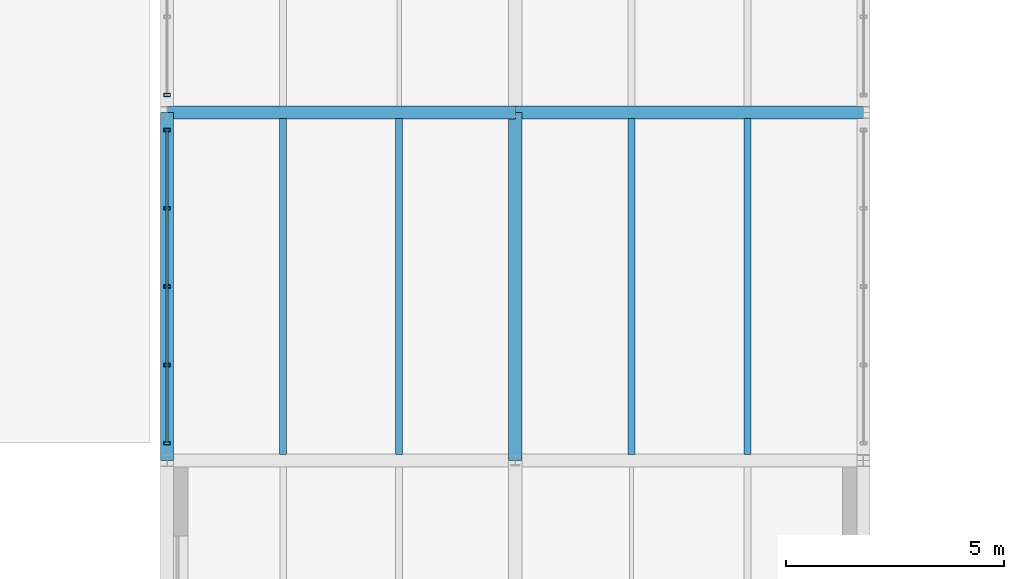
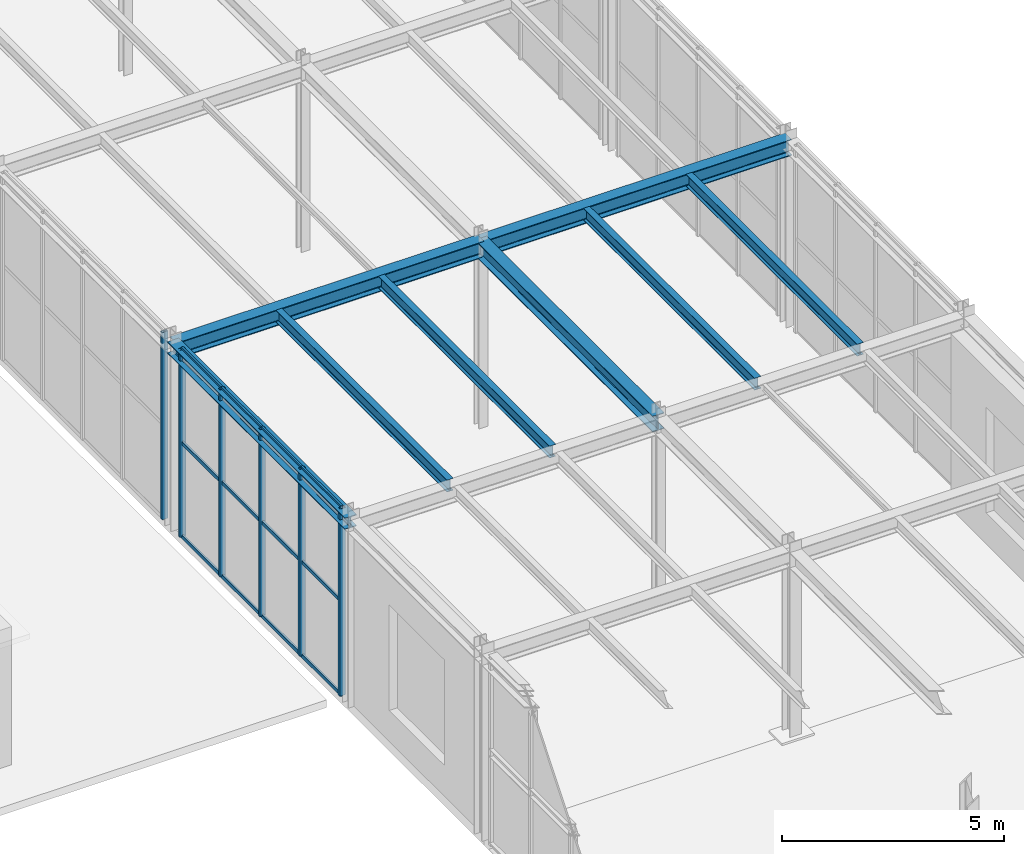
# One storey, part 33 of 129: 18 members, 8 beams, 2 elements without a shape of their own.
"""IFC4 building model written with IfcOpenShell, lengths in metres."""

from ifc_helpers import new_model, si_unit, direction, frame, origin, origin_2d, place, context, subcontext, project, spatial, hollow_rectangle, i_section, extrude, material, material_profile, profile_set, type_object, element, aggregate, save


model = new_model("IFC4")

# Units and contexts
model_context = context("Model", 3, precision=1e-05, world=origin(), true_north=direction((0.0, 1.0)))
body_context = subcontext(model_context, "Body", "Model", "MODEL_VIEW")
ifc_project = project(units=[si_unit("LENGTHUNIT", "METRE"), si_unit("AREAUNIT", "SQUARE_METRE"), si_unit("VOLUMEUNIT", "CUBIC_METRE"), si_unit("PLANEANGLEUNIT", "RADIAN"), si_unit("MASSUNIT", "GRAM", prefix="KILO")], contexts=[model_context])

# Site, building, storey
site_placement = place(None, origin())
site = spatial("IfcSite", under=ifc_project, at=site_placement, CompositionType="ELEMENT")
building_placement = place(site_placement, origin())
building = spatial("IfcBuilding", under=site, at=building_placement, Name="Sundkrona Museum", CompositionType="ELEMENT")
storey_placement = place(building_placement, origin())
storey = spatial("IfcBuildingStorey", under=building, at=storey_placement, Name="L00", CompositionType="ELEMENT", Elevation=0.0)

# Beams
ifc_material_1 = material(Name="Steel S355J2", Category="steel")
ifc_material_profile_1 = material_profile(ifc_material_1, i_section(OverallWidth=0.300048828125, OverallDepth=0.43994140625, WebThickness=0.011474609375, FlangeThickness=0.02099609375, FilletRadius=0.027099609375, at=origin_2d()), Name="HEA 450")
ifc_profile_set_1 = profile_set([ifc_material_profile_1], Name="Steel S355J2")
beam_type_1 = type_object("IfcBeamType", Name="B-HEA450", PredefinedType="BEAM", material=ifc_profile_set_1)
for number, where, z_axis, x_axis, name in (
    (1, (80.0, 54.0, 4.919921875), (1.0, 0.0, 0.0), (0.0, 1.0, 0.0), "L00 Girder X-0493"),
    (2, (88.0, 54.0, 4.919921875), (1.0, 0.0, 0.0), (0.0, 1.0, 0.0), "L00 Girder X-0494"),
    (3, (88.0, 46.0, 4.919921875), (0.0, 1.0, 0.0), (-1.0, 0.0, 0.0), "L00 Girder Y-0692"),
):
    element("IfcBeam", number, at=place(storey_placement, frame(where, z_axis=z_axis, x_axis=x_axis)), inside=storey, type_object=beam_type_1, Name=name, PredefinedType="BEAM", context=body_context, shape_type="SweptSolid", body=[
        extrude(i_section(OverallWidth=0.300048828125, OverallDepth=0.43994140625, WebThickness=0.011474609375, FlangeThickness=0.02099609375, FilletRadius=0.027099609375, at=origin_2d()), origin(), (0.0, 0.0, 1.0), 8.0),
    ])
ifc_material_profile_2 = material_profile(ifc_material_1, i_section(OverallWidth=0.159912109375, OverallDepth=0.330078125, WebThickness=0.007568359375, FlangeThickness=0.011474609375, FilletRadius=0.01806640625, at=origin_2d()), Name="IPE 330")
ifc_profile_set_2 = profile_set([ifc_material_profile_2], Name="Steel S355J2")
beam_type_2 = type_object("IfcBeamType", Name="J-IPE330", PredefinedType="JOIST", material=ifc_profile_set_2)
for number, where, z_axis, x_axis, name in (
    (4, (82.666748046875, 46.14404296875, 4.97509765625), (0.0, 1.0, 0.0), (-1.0, 0.0, 0.0), "L00 Composite Joist 0397"),
    (5, (85.333251953125, 46.14404296875, 4.97509765625), (0.0, 1.0, 0.0), (-1.0, 0.0, 0.0), "L00 Composite Joist 0398"),
    (6, (90.666748046875, 46.14404296875, 4.97509765625), (0.0, 1.0, 0.0), (-1.0, 0.0, 0.0), "L00 Composite Joist 0417"),
    (7, (93.333251953125, 46.14404296875, 4.97509765625), (0.0, 1.0, 0.0), (-1.0, 0.0, 0.0), "L00 Composite Joist 0418"),
):
    element("IfcBeam", number, at=place(storey_placement, frame(where, z_axis=z_axis, x_axis=x_axis)), inside=storey, type_object=beam_type_2, Name=name, PredefinedType="JOIST", context=body_context, shape_type="SweptSolid", body=[
        extrude(i_section(OverallWidth=0.159912109375, OverallDepth=0.330078125, WebThickness=0.007568359375, FlangeThickness=0.011474609375, FilletRadius=0.01806640625, at=origin_2d()), origin(), (0.0, 0.0, 1.0), 7.7119140625),
    ])

# Curtain wall, members
ifc_material_2 = material(Name="Unitised Aluminium-Steel and Ceramic-Clad Curtain Walling", Category="steel")
curtain_wall_type = type_object("IfcCurtainWallType", Name="CW-PS-74x48", PredefinedType="NOTDEFINED", material=ifc_material_2)
curtain_wall_1_placement = place(storey_placement, origin())
curtain_wall_1 = element("IfcCurtainWall", 8, at=curtain_wall_1_placement, inside=storey, type_object=curtain_wall_type, Name="L00 Curtain Wall CW-L00-094", PredefinedType="NOTDEFINED")
ifc_material_3 = material(Name="Aluminium EN AW-6060 T66", Category="aluminium")
ifc_material_profile_3 = material_profile(ifc_material_3, hollow_rectangle(XDim=0.074951171875, YDim=0.14990234375, WallThickness=0.00634765625, at=origin_2d()), Name="RHS 150x75x6.3")
ifc_profile_set_3 = profile_set([ifc_material_profile_3], Name="Aluminium EN AW-6060 T66")
member_type_1 = type_object("IfcMemberType", Name="ML-150", PredefinedType="MULLION", material=ifc_profile_set_3)
member_1_placement = place(storey_placement, frame((80.0, 46.39990234375, -0.00390625), z_axis=(0.0, 0.0, 1.0), x_axis=(0.0, 1.0, 0.0)))
member_1 = element("IfcMember", 9, at=member_1_placement, type_object=member_type_1, Name="CW-L00-094 Mullion 01", PredefinedType="MULLION", context=body_context, shape_type="SweptSolid", body=[
    extrude(hollow_rectangle(XDim=0.074951171875, YDim=0.14990234375, WallThickness=0.00634765625, at=origin_2d()), origin(), (0.0, 0.0, 1.0), 5.14794921875),
])
member_2_placement = place(storey_placement, frame((80.0, 48.199951171875, -0.00390625), z_axis=(0.0, 0.0, 1.0), x_axis=(0.0, 1.0, 0.0)))
member_2 = element("IfcMember", 10, at=member_2_placement, type_object=member_type_1, Name="CW-L00-094 Mullion 02", PredefinedType="MULLION", context=body_context, shape_type="SweptSolid", body=[
    extrude(hollow_rectangle(XDim=0.074951171875, YDim=0.14990234375, WallThickness=0.00634765625, at=origin_2d()), origin(), (0.0, 0.0, 1.0), 5.14794921875),
])
member_3_placement = place(storey_placement, frame((80.0, 50.0, -0.00390625), z_axis=(0.0, 0.0, 1.0), x_axis=(0.0, 1.0, 0.0)))
member_3 = element("IfcMember", 11, at=member_3_placement, type_object=member_type_1, Name="CW-L00-094 Mullion 03", PredefinedType="MULLION", context=body_context, shape_type="SweptSolid", body=[
    extrude(hollow_rectangle(XDim=0.074951171875, YDim=0.14990234375, WallThickness=0.00634765625, at=origin_2d()), origin(), (0.0, 0.0, 1.0), 5.14794921875),
])
member_4_placement = place(storey_placement, frame((80.0, 51.800048828125, -0.00390625), z_axis=(0.0, 0.0, 1.0), x_axis=(0.0, 1.0, 0.0)))
member_4 = element("IfcMember", 12, at=member_4_placement, type_object=member_type_1, Name="CW-L00-094 Mullion 04", PredefinedType="MULLION", context=body_context, shape_type="SweptSolid", body=[
    extrude(hollow_rectangle(XDim=0.074951171875, YDim=0.14990234375, WallThickness=0.00634765625, at=origin_2d()), origin(), (0.0, 0.0, 1.0), 5.14794921875),
])
member_5_placement = place(storey_placement, frame((80.0, 53.60009765625, -0.00390625), z_axis=(0.0, 0.0, 1.0), x_axis=(0.0, 1.0, 0.0)))
member_5 = element("IfcMember", 13, at=member_5_placement, type_object=member_type_1, Name="CW-L00-094 Mullion 05", PredefinedType="MULLION", context=body_context, shape_type="SweptSolid", body=[
    extrude(hollow_rectangle(XDim=0.074951171875, YDim=0.14990234375, WallThickness=0.00634765625, at=origin_2d()), origin(), (0.0, 0.0, 1.0), 5.14794921875),
])

# Curtain wall, member
curtain_wall_2_placement = place(storey_placement, origin())
curtain_wall_2 = element("IfcCurtainWall", 14, at=curtain_wall_2_placement, inside=storey, type_object=curtain_wall_type, Name="L00 Curtain Wall CW-L00-096", PredefinedType="NOTDEFINED")
member_6_placement = place(storey_placement, frame((80.0, 54.39990234375, -0.00390625), z_axis=(0.0, 0.0, 1.0), x_axis=(0.0, 1.0, 0.0)))
member_6 = element("IfcMember", 15, at=member_6_placement, type_object=member_type_1, Name="CW-L00-096 Mullion 01", PredefinedType="MULLION", context=body_context, shape_type="SweptSolid", body=[
    extrude(hollow_rectangle(XDim=0.074951171875, YDim=0.14990234375, WallThickness=0.00634765625, at=origin_2d()), origin(), (0.0, 0.0, 1.0), 5.14794921875),
])
aggregate(curtain_wall_2, [member_6])

# Beam
ifc_material_profile_4 = material_profile(ifc_material_1, i_section(OverallWidth=0.300048828125, OverallDepth=0.320068359375, WebThickness=0.011474609375, FlangeThickness=0.0205078125, FilletRadius=0.027099609375, at=origin_2d()), Name="HEB 320")
ifc_profile_set_4 = profile_set([ifc_material_profile_4], Name="Steel S355J2")
beam_type_3 = type_object("IfcBeamType", Name="SP-HEB320", PredefinedType="SPANDREL", material=ifc_profile_set_4)
beam_placement = place(storey_placement, frame((80.0, 46.0, 4.97998046875), z_axis=(0.0, 1.0, 0.0), x_axis=(-1.0, 0.0, 0.0)))
element("IfcBeam", 16, at=beam_placement, inside=storey, type_object=beam_type_3, Name="L00 Girder Y-0677", PredefinedType="SPANDREL", context=body_context, shape_type="SweptSolid", body=[
    extrude(i_section(OverallWidth=0.300048828125, OverallDepth=0.320068359375, WebThickness=0.011474609375, FlangeThickness=0.0205078125, FilletRadius=0.027099609375, at=origin_2d()), origin(), (0.0, 0.0, 1.0), 8.0),
])

# Member
ifc_material_profile_5 = material_profile(ifc_material_3, hollow_rectangle(XDim=0.050048828125, YDim=0.10009765625, WallThickness=0.0048828125, at=origin_2d()), Name="RHS 100x50x5.0")
ifc_profile_set_5 = profile_set([ifc_material_profile_5], Name="Aluminium EN AW-6060 T66")
member_type_2 = type_object("IfcMemberType", Name="TR-100", PredefinedType="USERDEFINED", material=ifc_profile_set_5)
member_7_placement = place(storey_placement, frame((80.0, 46.39990234375, -0.00390625), z_axis=(0.0, 1.0, 0.0), x_axis=(-1.0, 0.0, 0.0)))
member_7 = element("IfcMember", 17, at=member_7_placement, type_object=member_type_2, Name="CW-L00-094 Transom 01", ObjectType="TRANSOM", PredefinedType="USERDEFINED", context=body_context, shape_type="SweptSolid", body=[
    extrude(hollow_rectangle(XDim=0.050048828125, YDim=0.10009765625, WallThickness=0.0048828125, at=origin_2d()), origin(), (0.0, 0.0, 1.0), 1.800048828125),
])

member_8_placement = place(storey_placement, frame((80.0, 46.39990234375, 2.570068359375), z_axis=(0.0, 1.0, 0.0), x_axis=(-1.0, 0.0, 0.0)))
member_8 = element("IfcMember", 18, at=member_8_placement, type_object=member_type_2, Name="CW-L00-094 Transom 02", ObjectType="TRANSOM", PredefinedType="USERDEFINED", context=body_context, shape_type="SweptSolid", body=[
    extrude(hollow_rectangle(XDim=0.050048828125, YDim=0.10009765625, WallThickness=0.0048828125, at=origin_2d()), origin(), (0.0, 0.0, 1.0), 1.800048828125),
])

member_9_placement = place(storey_placement, frame((80.0, 46.39990234375, 5.14404296875), z_axis=(0.0, 1.0, 0.0), x_axis=(-1.0, 0.0, 0.0)))
member_9 = element("IfcMember", 19, at=member_9_placement, type_object=member_type_2, Name="CW-L00-094 Transom 03", ObjectType="TRANSOM", PredefinedType="USERDEFINED", context=body_context, shape_type="SweptSolid", body=[
    extrude(hollow_rectangle(XDim=0.050048828125, YDim=0.10009765625, WallThickness=0.0048828125, at=origin_2d()), origin(), (0.0, 0.0, 1.0), 1.800048828125),
])

member_10_placement = place(storey_placement, frame((80.0, 48.199951171875, -0.00390625), z_axis=(0.0, 1.0, 0.0), x_axis=(-1.0, 0.0, 0.0)))
member_10 = element("IfcMember", 20, at=member_10_placement, type_object=member_type_2, Name="CW-L00-094 Transom 04", ObjectType="TRANSOM", PredefinedType="USERDEFINED", context=body_context, shape_type="SweptSolid", body=[
    extrude(hollow_rectangle(XDim=0.050048828125, YDim=0.10009765625, WallThickness=0.0048828125, at=origin_2d()), origin(), (0.0, 0.0, 1.0), 1.800048828125),
])

member_11_placement = place(storey_placement, frame((80.0, 48.199951171875, 2.570068359375), z_axis=(0.0, 1.0, 0.0), x_axis=(-1.0, 0.0, 0.0)))
member_11 = element("IfcMember", 21, at=member_11_placement, type_object=member_type_2, Name="CW-L00-094 Transom 05", ObjectType="TRANSOM", PredefinedType="USERDEFINED", context=body_context, shape_type="SweptSolid", body=[
    extrude(hollow_rectangle(XDim=0.050048828125, YDim=0.10009765625, WallThickness=0.0048828125, at=origin_2d()), origin(), (0.0, 0.0, 1.0), 1.800048828125),
])

member_12_placement = place(storey_placement, frame((80.0, 48.199951171875, 5.14404296875), z_axis=(0.0, 1.0, 0.0), x_axis=(-1.0, 0.0, 0.0)))
member_12 = element("IfcMember", 22, at=member_12_placement, type_object=member_type_2, Name="CW-L00-094 Transom 06", ObjectType="TRANSOM", PredefinedType="USERDEFINED", context=body_context, shape_type="SweptSolid", body=[
    extrude(hollow_rectangle(XDim=0.050048828125, YDim=0.10009765625, WallThickness=0.0048828125, at=origin_2d()), origin(), (0.0, 0.0, 1.0), 1.800048828125),
])

member_13_placement = place(storey_placement, frame((80.0, 50.0, -0.00390625), z_axis=(0.0, 1.0, 0.0), x_axis=(-1.0, 0.0, 0.0)))
member_13 = element("IfcMember", 23, at=member_13_placement, type_object=member_type_2, Name="CW-L00-094 Transom 07", ObjectType="TRANSOM", PredefinedType="USERDEFINED", context=body_context, shape_type="SweptSolid", body=[
    extrude(hollow_rectangle(XDim=0.050048828125, YDim=0.10009765625, WallThickness=0.0048828125, at=origin_2d()), origin(), (0.0, 0.0, 1.0), 1.800048828125),
])

member_14_placement = place(storey_placement, frame((80.0, 50.0, 2.570068359375), z_axis=(0.0, 1.0, 0.0), x_axis=(-1.0, 0.0, 0.0)))
member_14 = element("IfcMember", 24, at=member_14_placement, type_object=member_type_2, Name="CW-L00-094 Transom 08", ObjectType="TRANSOM", PredefinedType="USERDEFINED", context=body_context, shape_type="SweptSolid", body=[
    extrude(hollow_rectangle(XDim=0.050048828125, YDim=0.10009765625, WallThickness=0.0048828125, at=origin_2d()), origin(), (0.0, 0.0, 1.0), 1.800048828125),
])

member_15_placement = place(storey_placement, frame((80.0, 50.0, 5.14404296875), z_axis=(0.0, 1.0, 0.0), x_axis=(-1.0, 0.0, 0.0)))
member_15 = element("IfcMember", 25, at=member_15_placement, type_object=member_type_2, Name="CW-L00-094 Transom 09", ObjectType="TRANSOM", PredefinedType="USERDEFINED", context=body_context, shape_type="SweptSolid", body=[
    extrude(hollow_rectangle(XDim=0.050048828125, YDim=0.10009765625, WallThickness=0.0048828125, at=origin_2d()), origin(), (0.0, 0.0, 1.0), 1.800048828125),
])

member_16_placement = place(storey_placement, frame((80.0, 51.800048828125, -0.00390625), z_axis=(0.0, 1.0, 0.0), x_axis=(-1.0, 0.0, 0.0)))
member_16 = element("IfcMember", 26, at=member_16_placement, type_object=member_type_2, Name="CW-L00-094 Transom 10", ObjectType="TRANSOM", PredefinedType="USERDEFINED", context=body_context, shape_type="SweptSolid", body=[
    extrude(hollow_rectangle(XDim=0.050048828125, YDim=0.10009765625, WallThickness=0.0048828125, at=origin_2d()), origin(), (0.0, 0.0, 1.0), 1.800048828125),
])

member_17_placement = place(storey_placement, frame((80.0, 51.800048828125, 2.570068359375), z_axis=(0.0, 1.0, 0.0), x_axis=(-1.0, 0.0, 0.0)))
member_17 = element("IfcMember", 27, at=member_17_placement, type_object=member_type_2, Name="CW-L00-094 Transom 11", ObjectType="TRANSOM", PredefinedType="USERDEFINED", context=body_context, shape_type="SweptSolid", body=[
    extrude(hollow_rectangle(XDim=0.050048828125, YDim=0.10009765625, WallThickness=0.0048828125, at=origin_2d()), origin(), (0.0, 0.0, 1.0), 1.800048828125),
])

member_18_placement = place(storey_placement, frame((80.0, 51.800048828125, 5.14404296875), z_axis=(0.0, 1.0, 0.0), x_axis=(-1.0, 0.0, 0.0)))
member_18 = element("IfcMember", 28, at=member_18_placement, type_object=member_type_2, Name="CW-L00-094 Transom 12", ObjectType="TRANSOM", PredefinedType="USERDEFINED", context=body_context, shape_type="SweptSolid", body=[
    extrude(hollow_rectangle(XDim=0.050048828125, YDim=0.10009765625, WallThickness=0.0048828125, at=origin_2d()), origin(), (0.0, 0.0, 1.0), 1.800048828125),
])

aggregate(curtain_wall_1, [member_1, member_2, member_3, member_4, member_5, member_7, member_8, member_9, member_10, member_11, member_12, member_13, member_14, member_15, member_16, member_17, member_18])

save(model, "model.ifc")
